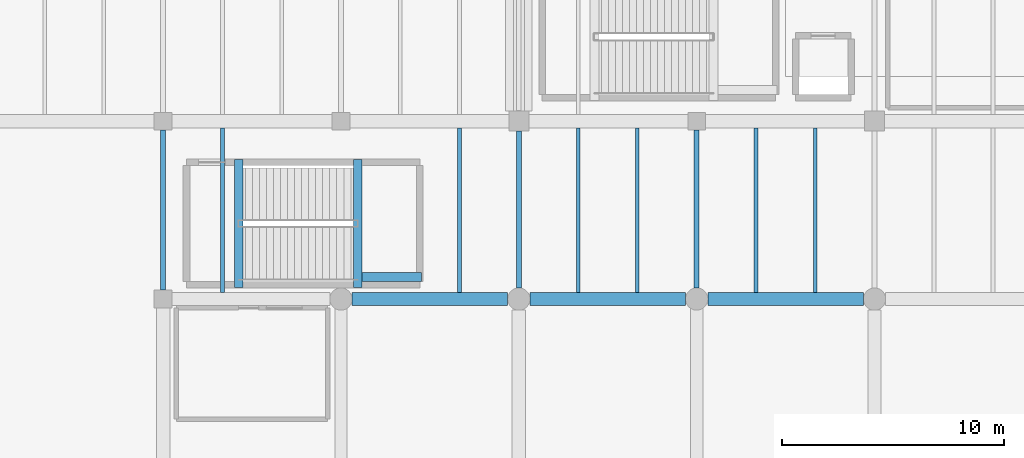
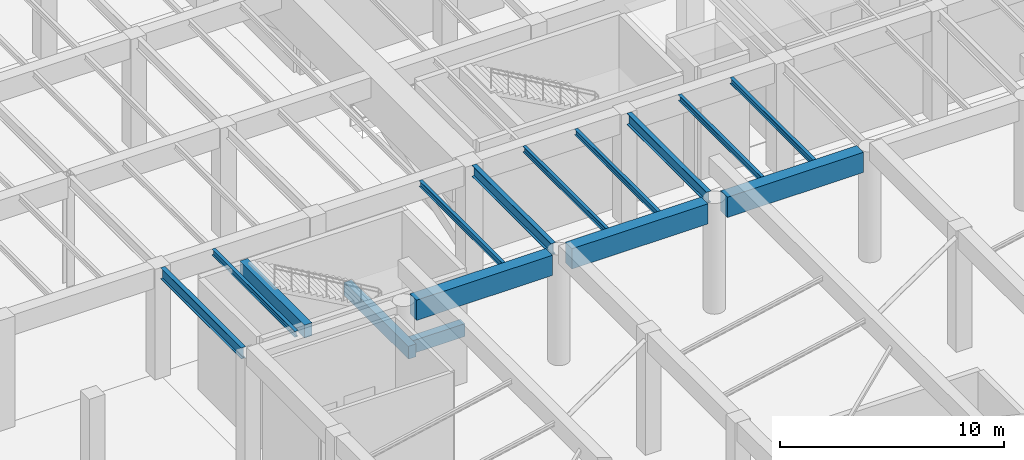
# One storey, part 7 of 51: 15 beams.
"""IFC4 building model written with IfcOpenShell, lengths in metres."""

from ifc_helpers import new_model, si_unit, direction, frame, origin, origin_2d, place, context, subcontext, project, spatial, rectangle, i_section, extrude, material, material_profile, profile_set, type_object, element, save


model = new_model("IFC4")

# Units and contexts
model_context = context("Model", 3, precision=1e-05, world=origin(), true_north=direction((0.0, 1.0)))
body_context = subcontext(model_context, "Body", "Model", "MODEL_VIEW")
ifc_project = project(units=[si_unit("LENGTHUNIT", "METRE"), si_unit("AREAUNIT", "SQUARE_METRE"), si_unit("VOLUMEUNIT", "CUBIC_METRE"), si_unit("PLANEANGLEUNIT", "RADIAN"), si_unit("MASSUNIT", "GRAM", prefix="KILO")], contexts=[model_context])

# Site, building, storey
site_placement = place(None, origin())
site = spatial("IfcSite", under=ifc_project, at=site_placement, CompositionType="ELEMENT")
building_placement = place(site_placement, origin())
building = spatial("IfcBuilding", under=site, at=building_placement, Name="Varnela Railside Interchange", CompositionType="ELEMENT")
storey_placement = place(building_placement, origin())
storey = spatial("IfcBuildingStorey", under=building, at=storey_placement, Name="L00", CompositionType="ELEMENT", Elevation=0.0)

# Beams
ifc_material_1 = material(Name="Steel AR 350 (350 MPa)", Category="steel")
ifc_material_profile_1 = material_profile(ifc_material_1, i_section(OverallWidth=0.1669921875, OverallDepth=0.31689453125, WebThickness=0.007568359375, FlangeThickness=0.01318359375, at=origin_2d()), Name="W310x52")
ifc_profile_set_1 = profile_set([ifc_material_profile_1], Name="Steel AR 350 (350 MPa)")
beam_type_1 = type_object("IfcBeamType", Name="Composite Long-Span Joist J-03", PredefinedType="JOIST", material=ifc_profile_set_1)
for number, where, z_axis, x_axis, name in (
    (1, (38.669921875, 30.300048828125, 5.861572265625), (0.0, 1.0, 0.0), (-1.0, 0.0, 0.0), "Composite Long-Span Joist J-03 (L00) (BM-1144)"),
    (2, (49.330078125, 30.300048828125, 5.861572265625), (0.0, 1.0, 0.0), (-1.0, 0.0, 0.0), "Composite Long-Span Joist J-03 (L00) (BM-1158)"),
    (3, (54.669921875, 30.300048828125, 5.861572265625), (0.0, 1.0, 0.0), (-1.0, 0.0, 0.0), "Composite Long-Span Joist J-03 (L00) (BM-1170)"),
    (4, (57.330078125, 30.300048828125, 5.861572265625), (0.0, 1.0, 0.0), (-1.0, 0.0, 0.0), "Composite Long-Span Joist J-03 (L00) (BM-1171)"),
    (5, (62.669921875, 30.300048828125, 5.861572265625), (0.0, 1.0, 0.0), (-1.0, 0.0, 0.0), "Composite Long-Span Joist J-03 (L00) (BM-1176)"),
    (6, (65.330078125, 30.300048828125, 5.861572265625), (0.0, 1.0, 0.0), (-1.0, 0.0, 0.0), "Composite Long-Span Joist J-03 (L00) (BM-1177)"),
):
    element("IfcBeam", number, at=place(storey_placement, frame(where, z_axis=z_axis, x_axis=x_axis)), inside=storey, type_object=beam_type_1, Name=name, PredefinedType="JOIST", context=body_context, shape_type="SweptSolid", body=[
        extrude(i_section(OverallWidth=0.1669921875, OverallDepth=0.31689453125, WebThickness=0.007568359375, FlangeThickness=0.01318359375, at=origin_2d()), origin(), (0.0, 0.0, 1.0), 7.39990234375),
    ])
ifc_material_2 = material(Name="Concrete C50", Category="concrete")
ifc_material_profile_2 = material_profile(ifc_material_2, rectangle(XDim=0.60009765625, YDim=1.10009765625, at=origin_2d()), Name="RC 600x1100")
ifc_profile_set_2 = profile_set([ifc_material_profile_2], Name="Concrete C50")
beam_type_2 = type_object("IfcBeamType", Name="Concourse RC Girder B-06", PredefinedType="BEAM", material=ifc_profile_set_2)
for number, where, z_axis, x_axis, name in (
    (7, (44.5, 30.0, 5.469970703125), (1.0, 0.0, 0.0), (0.0, 1.0, 0.0), "Concourse RC Girder B-06 (L00) (BM-1194)"),
    (8, (52.5, 30.0, 5.469970703125), (1.0, 0.0, 0.0), (0.0, 1.0, 0.0), "Concourse RC Girder B-06 (L00) (BM-1195)"),
    (9, (60.5, 30.0, 5.469970703125), (1.0, 0.0, 0.0), (0.0, 1.0, 0.0), "Concourse RC Girder B-06 (L00) (BM-1196)"),
):
    element("IfcBeam", number, at=place(storey_placement, frame(where, z_axis=z_axis, x_axis=x_axis)), inside=storey, type_object=beam_type_2, Name=name, PredefinedType="BEAM", context=body_context, shape_type="SweptSolid", body=[
        extrude(rectangle(XDim=0.60009765625, YDim=1.10009765625, at=origin_2d()), origin(), (0.0, 0.0, 1.0), 7.0),
    ])
ifc_material_3 = material(Name="Concrete C40", Category="concrete")
ifc_material_profile_3 = material_profile(ifc_material_3, rectangle(XDim=0.39990234375, YDim=0.699951171875, at=origin_2d()), Name="RC 400x700")
ifc_profile_set_3 = profile_set([ifc_material_profile_3], Name="Concrete C40")
beam_type_3 = type_object("IfcBeamType", Name="Concrete Tie Beam B-01", PredefinedType="BEAM", material=ifc_profile_set_3)
for number, where, z_axis, x_axis, name in (
    (10, (39.39990234375, 30.52001953125, 5.669921875), (0.0, 1.0, 0.0), (-1.0, 0.0, 0.0), "Concrete Tie Beam B-01 (L00) (BM-1452)"),
    (11, (44.7548828125, 30.52001953125, 2.639892578125), (0.0, 1.0, 0.0), (-1.0, 0.0, 0.0), "Concrete Tie Beam B-01 (L00) (BM-1439)"),
):
    element("IfcBeam", number, at=place(storey_placement, frame(where, z_axis=z_axis, x_axis=x_axis)), inside=storey, type_object=beam_type_3, Name=name, PredefinedType="BEAM", context=body_context, shape_type="SweptSolid", body=[
        extrude(rectangle(XDim=0.39990234375, YDim=0.699951171875, at=origin_2d()), origin(), (0.0, 0.0, 1.0), 5.760009765625),
    ])
beam_1_placement = place(storey_placement, frame((44.955078125, 31.0, 2.639892578125), z_axis=(1.0, 0.0, 0.0), x_axis=(0.0, 1.0, 0.0)))
element("IfcBeam", 12, at=beam_1_placement, inside=storey, type_object=beam_type_3, Name="Concrete Tie Beam B-01 (L00) (BM-1426)", PredefinedType="BEAM", context=body_context, shape_type="SweptSolid", body=[
    extrude(rectangle(XDim=0.39990234375, YDim=0.699951171875, at=origin_2d()), origin(), (0.0, 0.0, 1.0), 2.6650390625),
])
ifc_material_profile_4 = material_profile(ifc_material_1, i_section(OverallWidth=0.22900390625, OverallDepth=0.612060546875, WebThickness=0.011962890625, FlangeThickness=0.01953125, at=origin_2d()), Name="W610x125")
ifc_profile_set_4 = profile_set([ifc_material_profile_4], Name="Steel AR 350 (350 MPa)")
beam_type_4 = type_object("IfcBeamType", Name="Podium Composite Girder B-15", PredefinedType="BEAM", material=ifc_profile_set_4)
beam_2_placement = place(storey_placement, frame((36.0, 30.39990234375, 5.714111328125), z_axis=(0.0, 1.0, 0.0), x_axis=(-1.0, 0.0, 0.0)))
element("IfcBeam", 13, at=beam_2_placement, inside=storey, type_object=beam_type_4, Name="Podium Composite Girder B-15 (L00) (BM-1369)", PredefinedType="BEAM", context=body_context, shape_type="SweptSolid", body=[
    extrude(i_section(OverallWidth=0.22900390625, OverallDepth=0.612060546875, WebThickness=0.011962890625, FlangeThickness=0.01953125, at=origin_2d()), origin(), (0.0, 0.0, 1.0), 7.2001953125),
])
beam_3_placement = place(storey_placement, frame((52.0, 30.5, 5.714111328125), z_axis=(0.0, 1.0, 0.0), x_axis=(-1.0, 0.0, 0.0)))
element("IfcBeam", 14, at=beam_3_placement, inside=storey, type_object=beam_type_4, Name="Podium Composite Girder B-15 (L00) (BM-1381)", PredefinedType="BEAM", context=body_context, shape_type="SweptSolid", body=[
    extrude(i_section(OverallWidth=0.22900390625, OverallDepth=0.612060546875, WebThickness=0.011962890625, FlangeThickness=0.01953125, at=origin_2d()), origin(), (0.0, 0.0, 1.0), 7.050048828125),
])
beam_4_placement = place(storey_placement, frame((60.0, 30.5, 5.714111328125), z_axis=(0.0, 1.0, 0.0), x_axis=(-1.0, 0.0, 0.0)))
element("IfcBeam", 15, at=beam_4_placement, inside=storey, type_object=beam_type_4, Name="Podium Composite Girder B-15 (L00) (BM-1386)", PredefinedType="BEAM", context=body_context, shape_type="SweptSolid", body=[
    extrude(i_section(OverallWidth=0.22900390625, OverallDepth=0.612060546875, WebThickness=0.011962890625, FlangeThickness=0.01953125, at=origin_2d()), origin(), (0.0, 0.0, 1.0), 7.10009765625),
])

save(model, "model.ifc")
